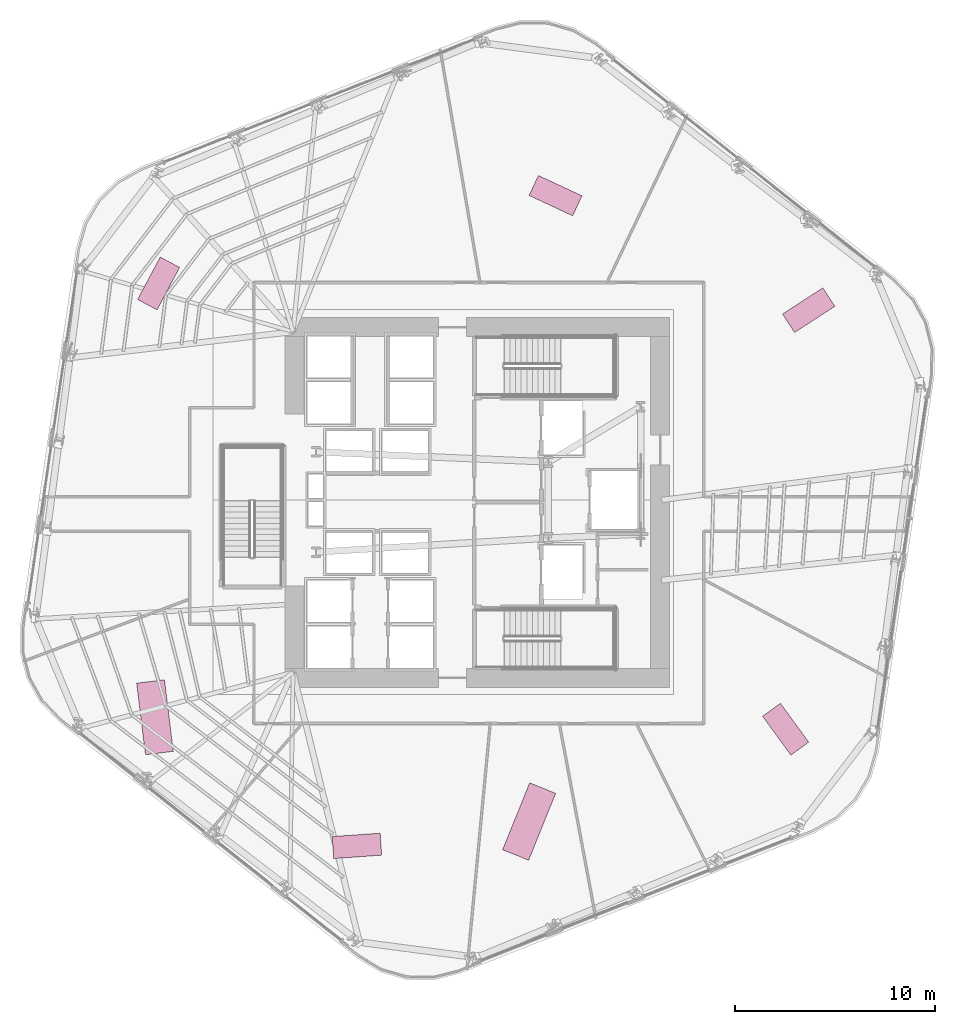
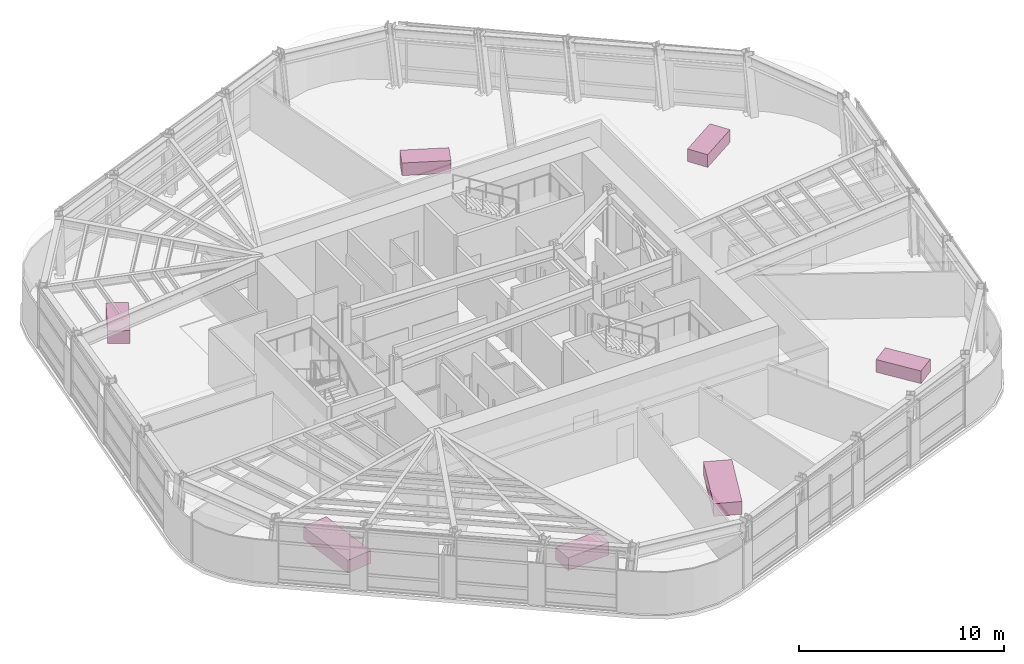
# One storey, part 17 of 17: 7 furniture elements.
"""IFC4 building model written with IfcOpenShell, lengths in metres."""

from ifc_helpers import new_model, si_unit, direction, frame, origin, origin_2d, place, context, subcontext, project, spatial, rectangle, extrude, material, type_object, element, save


model = new_model("IFC4")

# Units and contexts
model_context = context("Model", 3, precision=1e-05, world=origin(), true_north=direction((0.0, 1.0)))
body_context = subcontext(model_context, "Body", "Model", "MODEL_VIEW")
ifc_project = project(units=[si_unit("LENGTHUNIT", "METRE"), si_unit("AREAUNIT", "SQUARE_METRE"), si_unit("VOLUMEUNIT", "CUBIC_METRE"), si_unit("PLANEANGLEUNIT", "RADIAN"), si_unit("MASSUNIT", "GRAM", prefix="KILO")], contexts=[model_context])

# Site, building, storey
site_placement = place(None, origin())
site = spatial("IfcSite", under=ifc_project, at=site_placement, CompositionType="ELEMENT")
building_placement = place(site_placement, origin())
building = spatial("IfcBuilding", under=site, at=building_placement, Name="Valkerne Bourse Tower", CompositionType="ELEMENT")
storey_placement = place(building_placement, frame((0.0, 0.0, 116.199951171875)))
storey = spatial("IfcBuildingStorey", under=building, at=storey_placement, Name="L29", CompositionType="ELEMENT", Elevation=116.199951171875)

# Furniture
ifc_material = material(Name="Architectural White Oak Timber", Category="wood")
furniture_type_1 = type_object("IfcFurnitureType", Name="FURN-CONF-3600", AssemblyPlace="NOTDEFINED", PredefinedType="TABLE", material=ifc_material)
for number, where, z_axis, x_axis, name in (
    (1, (49.385009765625, 10.951904296875, 0.044921875), (0.0, 0.0, 1.0), (0.374606593416, 0.927183854567, 0.0), "L29 Suite Worktable 05"),
    (2, (30.708984375, 16.156005859375, 0.044921875), (0.0, 0.0, 1.0), (-0.121869343405, 0.992546151641, 0.0), "L29 Suite Worktable 06"),
):
    element("IfcFurniture", number, at=place(storey_placement, frame(where, z_axis=z_axis, x_axis=x_axis)), inside=storey, type_object=furniture_type_1, Name=name, PredefinedType="TABLE", context=body_context, shape_type="SweptSolid", body=[
        extrude(rectangle(XDim=3.60009765625, YDim=1.39990234375, at=origin_2d()), origin(), (0.0, 0.0, 1.0), 0.760009765625),
    ])
furniture_type_2 = type_object("IfcFurnitureType", Name="FURN-DESK-2400", AssemblyPlace="NOTDEFINED", PredefinedType="DESK", material=ifc_material)
for number, where, z_axis, x_axis, name in (
    (3, (62.18798828125, 15.56005859375, 0.045166015625), (0.0, 0.0, 1.0), (-0.587785252292, 0.809016994375, 0.0), "L29 Suite Worktable 07"),
    (4, (50.701904296875, 42.18994140625, 0.045166015625), (0.0, 0.0, 1.0), (-0.906307787037, 0.422618261741, 0.0), "L29 Suite Worktable 08"),
    (5, (40.7900390625, 9.737060546875, 0.045166015625), (0.0, 0.0, 1.0), (0.99756405026, 0.069756473744, 0.0), "L29 Suite Worktable 09"),
    (6, (63.3369140625, 36.47412109375, 0.045166015625), (0.0, 0.0, 1.0), (0.838670567945, 0.544639035015, 0.0), "L29 Suite Worktable 10"),
    (7, (30.89208984375, 37.80810546875, 0.045166015625), (0.0, 0.0, 1.0), (0.469471562786, 0.882947592859, 0.0), "L29 Suite Worktable 11"),
):
    element("IfcFurniture", number, at=place(storey_placement, frame(where, z_axis=z_axis, x_axis=x_axis)), inside=storey, type_object=furniture_type_2, Name=name, PredefinedType="DESK", context=body_context, shape_type="SweptSolid", body=[
        extrude(rectangle(XDim=2.39990234375, YDim=1.10009765625, at=origin_2d()), origin(), (0.0, 0.0, 1.0), 0.75),
    ])

save(model, "model.ifc")
